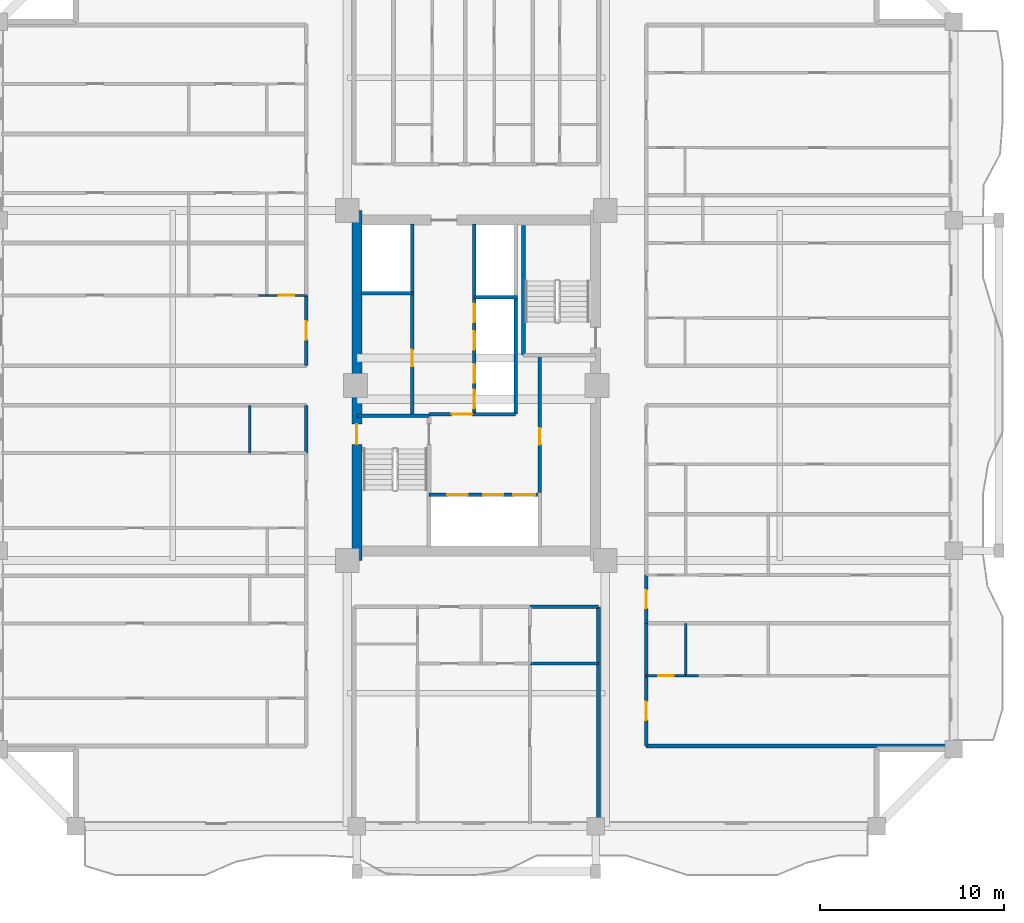
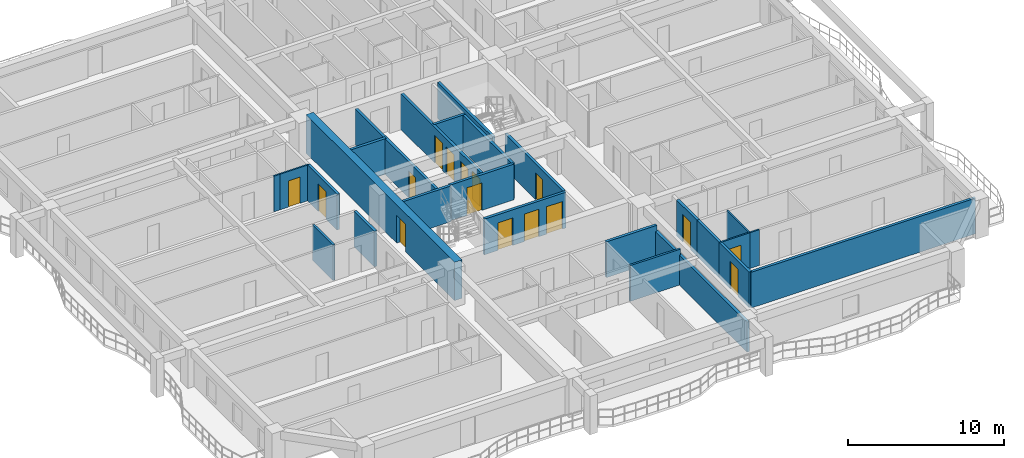
# One storey, part 4 of 14: 26 walls, 16 doors, 16 openings.
"""IFC4 building model written with IfcOpenShell, lengths in metres."""

import ifcopenshell
import ifcopenshell.guid

model = None  # the IFC model being written
_history = None  # IfcOwnerHistory: only IFC2X3 demands one
_inside = {}  # id of a spatial element -> (the spatial element, [elements in it])
_under = {}  # id of a project, library or spatial element -> (it, [spatial elements below it])
_declared = {}  # id of a project -> (the project, [libraries it declares])
_typed = {}  # id of a type object -> (the type object, [elements of that type])
_made_of = {}  # id of a material, layer set ... -> (it, [elements and type objects made of it])


def new_model(schema):
    """Start an empty IFC model of exactly this schema.

    Asked for "IFC4X3", IfcOpenShell would pick the latest addendum, in which some entities
    have other attributes; the version numbers below select the first issue.
    IFC2X3 requires an IfcOwnerHistory on every rooted entity: one is made here for all.
    """
    global model, _history
    if schema == "IFC4X3":
        model = ifcopenshell.file(schema_version=(4, 3, 0, 0))
    else:
        model = ifcopenshell.file(schema=schema)
    _inside.clear()
    _under.clear()
    _declared.clear()
    _typed.clear()
    _made_of.clear()
    _history = None
    if model.schema == "IFC2X3":
        org = make("IfcOrganization", Name="unknown")
        user = make(
            "IfcPersonAndOrganization",
            ThePerson=make("IfcPerson", FamilyName="unknown"),
            TheOrganization=org,
        )
        app = make(
            "IfcApplication",
            ApplicationDeveloper=org,
            Version="unknown",
            ApplicationFullName="unknown",
            ApplicationIdentifier="unknown",
        )
        _history = make(
            "IfcOwnerHistory",
            OwningUser=user,
            OwningApplication=app,
            ChangeAction="ADDED",
            CreationDate=0,
        )
    return model


def make(cls, **values):
    """One entity of the class cls with the attributes given. An attribute that is None is left unset."""
    return model.create_entity(
        cls, **{name: value for name, value in values.items() if value is not None}
    )


def rooted(cls, **values):
    """An entity with a GlobalId (a new one), such as an element, a storey or a relation."""
    return make(cls, GlobalId=ifcopenshell.guid.new(), OwnerHistory=_history, **values)


def si_unit(unit_type, name, prefix=None):
    """IfcSIUnit, for example si_unit("LENGTHUNIT", "METRE", prefix="MILLI")."""
    return make("IfcSIUnit", UnitType=unit_type, Prefix=prefix, Name=name)


def assignment(units):
    """IfcUnitAssignment: the units of a project."""
    return None if units is None else make("IfcUnitAssignment", Units=units)


def point(xyz):
    """IfcCartesianPoint."""
    return None if xyz is None else make("IfcCartesianPoint", Coordinates=xyz)


def direction(xyz):
    """IfcDirection."""
    return None if xyz is None else make("IfcDirection", DirectionRatios=xyz)


def frame(location, z_axis=None, x_axis=None):
    """IfcAxis2Placement3D, a coordinate frame: its origin and axes. An axis left out is left unset."""
    return make(
        "IfcAxis2Placement3D",
        Location=point(location),
        Axis=direction(z_axis),
        RefDirection=direction(x_axis),
    )


def frame_2d(location, x_axis=None):
    """IfcAxis2Placement2D, a coordinate frame in the plane: its origin and x axis."""
    return make(
        "IfcAxis2Placement2D", Location=point(location), RefDirection=direction(x_axis)
    )


def origin():
    """The frame at (0, 0, 0) with its axes left unset."""
    return frame((0.0, 0.0, 0.0))


def place(relative_to, where):
    """IfcLocalPlacement: puts the frame where relative to a parent placement (None: the world)."""
    return make(
        "IfcLocalPlacement", PlacementRelTo=relative_to, RelativePlacement=where
    )


def context(
    kind, dimensions, precision=None, world=None, true_north=None, identifier=None
):
    """IfcGeometricRepresentationContext, for example the 3D "Model" context."""
    return make(
        "IfcGeometricRepresentationContext",
        ContextIdentifier=identifier,
        ContextType=kind,
        CoordinateSpaceDimension=dimensions,
        Precision=precision,
        WorldCoordinateSystem=world,
        TrueNorth=true_north,
    )


def subcontext(parent, identifier, kind, view, scale=None):
    """IfcGeometricRepresentationSubContext, for example "Body" below "Model"."""
    return make(
        "IfcGeometricRepresentationSubContext",
        ContextIdentifier=identifier,
        ContextType=kind,
        ParentContext=parent,
        TargetScale=scale,
        TargetView=view,
    )


def project(units=None, contexts=None):
    """IfcProject with its units and contexts."""
    return rooted(
        "IfcProject",
        Name="project",
        RepresentationContexts=contexts,
        UnitsInContext=assignment(units),
    )


def spatial(cls, under=None, at=None, **own):
    """A site, building, storey or space (cls), placed at a placement, below another one or the project."""
    s = rooted(cls, ObjectPlacement=at, **own)
    if under is not None:
        _under.setdefault(under.id(), (under, []))[1].append(s)
    return s


def profile(cls, at=None, kind="AREA", **sizes):
    """A parametric profile (cls). Its sizes go by their IFC names, for example OverallWidth=200.0."""
    return make(cls, ProfileType=kind, Position=at, **sizes)


def rectangle(**sizes):
    """IfcRectangleProfileDef."""
    return profile("IfcRectangleProfileDef", **sizes)


def extrude(swept, where, along, depth):
    """IfcExtrudedAreaSolid: the profile swept, set in the frame where, extruded along a direction by depth."""
    return make(
        "IfcExtrudedAreaSolid",
        SweptArea=swept,
        Position=where,
        ExtrudedDirection=direction(along),
        Depth=depth,
    )


def shape(context_of_items, identifier, shape_type, items):
    """IfcShapeRepresentation: the items that make up one representation, for example the "Body"."""
    return make(
        "IfcShapeRepresentation",
        ContextOfItems=context_of_items,
        RepresentationIdentifier=identifier,
        RepresentationType=shape_type,
        Items=items,
    )


def source(mapping_origin, context_of_items, identifier, shape_type, items):
    """IfcRepresentationMap: a shape defined once, which mapped items show again and again."""
    return make(
        "IfcRepresentationMap",
        MappingOrigin=mapping_origin,
        MappedRepresentation=shape(context_of_items, identifier, shape_type, items),
    )


def transform(
    local_origin,
    x_axis=None,
    y_axis=None,
    z_axis=None,
    scale=None,
    scale2=None,
    scale3=None,
    uniform=True,
):
    """IfcCartesianTransformationOperator3D, or its non-uniform kind. x_axis, y_axis, z_axis: its Axis1, 2, 3."""
    if uniform:
        return make(
            "IfcCartesianTransformationOperator3D",
            Axis1=direction(x_axis),
            Axis2=direction(y_axis),
            LocalOrigin=point(local_origin),
            Scale=scale,
            Axis3=direction(z_axis),
        )
    return make(
        "IfcCartesianTransformationOperator3DnonUniform",
        Axis1=direction(x_axis),
        Axis2=direction(y_axis),
        LocalOrigin=point(local_origin),
        Scale=scale,
        Axis3=direction(z_axis),
        Scale2=scale2,
        Scale3=scale3,
    )


def mapped(mapping_source, mapping_target):
    """IfcMappedItem: shows the shape of a source again, moved by a transform."""
    return make(
        "IfcMappedItem", MappingSource=mapping_source, MappingTarget=mapping_target
    )


def material(Name=None, Category=None):
    """IfcMaterial."""
    return make("IfcMaterial", Name=Name, Category=Category)


def layer(
    of_material, thickness, ventilated=None, Name=None, Category=None, Priority=None
):
    """IfcMaterialLayer: one layer of a wall or slab, of a material (None: an air gap)."""
    return make(
        "IfcMaterialLayer",
        Material=of_material,
        LayerThickness=thickness,
        IsVentilated=ventilated,
        Name=Name,
        Category=Category,
        Priority=Priority,
    )


def layer_set(layers, Name=None):
    """IfcMaterialLayerSet."""
    return make("IfcMaterialLayerSet", MaterialLayers=layers, LayerSetName=Name)


def made_of(thing, what):
    """Note that an element or type object is made of a material, layer set ...; save() writes the relation."""
    if what is not None:
        _made_of.setdefault(what.id(), (what, []))[1].append(thing)
    return thing


def type_object(cls, material=None, **own):
    """A type object (cls), such as IfcWallType, which elements share."""
    return made_of(rooted(cls, **own), material)


def element(
    cls,
    number,
    at=None,
    inside=None,
    cuts=None,
    type_object=None,
    material=None,
    context=None,
    identifier="Body",
    shape_type=None,
    held_by="IfcProductDefinitionShape",
    body=None,
    shapes=None,
    **own,
):
    """One element of the class cls, such as IfcWall. Its Tag is "e" and its number.

    at: its placement. inside: the storey or other place that contains it. cuts: it is an
    opening in that element (IfcRelVoidsElement). A single representation is given by context,
    identifier, shape_type and body (its items); several are given by shapes. held_by: the class
    of the entity that holds the representations. save() writes the other relations.
    """
    e = rooted(cls, Tag="e%d" % number, ObjectPlacement=at, **own)
    if body is not None:
        shapes = [shape(context, identifier, shape_type, body)]
    if shapes is not None:
        e.Representation = make(held_by, Representations=shapes)
    if inside is not None:
        _inside.setdefault(inside.id(), (inside, []))[1].append(e)
    if cuts is not None:
        rooted(
            "IfcRelVoidsElement", RelatingBuildingElement=cuts, RelatedOpeningElement=e
        )
    if type_object is not None:
        _typed.setdefault(type_object.id(), (type_object, []))[1].append(e)
    return made_of(e, material)


def fill(opening, filler):
    """IfcRelFillsElement: the door or window that sits in an opening."""
    return rooted(
        "IfcRelFillsElement",
        RelatingOpeningElement=opening,
        RelatedBuildingElement=filler,
    )


def aggregate(whole, parts):
    """IfcRelAggregates: a whole, such as a stair, and the parts it consists of."""
    return rooted("IfcRelAggregates", RelatingObject=whole, RelatedObjects=parts)


def save(model, path):
    """Write the relations noted so far, then the file.

    IfcRelAggregates (storeys below a building ...), IfcRelContainedInSpatialStructure (elements
    in a storey), IfcRelDefinesByType, IfcRelAssociatesMaterial and IfcRelDeclares: one each for
    every whole, place, type object, material and project.
    """
    for whole, parts in _under.values():
        aggregate(whole, parts)
    for where, things in _inside.values():
        rooted(
            "IfcRelContainedInSpatialStructure",
            RelatedElements=things,
            RelatingStructure=where,
        )
    for kind, things in _typed.values():
        rooted("IfcRelDefinesByType", RelatedObjects=things, RelatingType=kind)
    for what, things in _made_of.values():
        rooted("IfcRelAssociatesMaterial", RelatedObjects=things, RelatingMaterial=what)
    for by, libraries in _declared.values():
        rooted("IfcRelDeclares", RelatingContext=by, RelatedDefinitions=libraries)
    model.write(path)


model = new_model("IFC4")

# Units and contexts
model_context = context("Model", 3, precision=1e-05, world=origin(), true_north=direction((0.0, 1.0)))
body_context = subcontext(model_context, "Body", "Model", "MODEL_VIEW")
ifc_project = project(units=[si_unit("LENGTHUNIT", "METRE"), si_unit("AREAUNIT", "SQUARE_METRE"), si_unit("VOLUMEUNIT", "CUBIC_METRE"), si_unit("PLANEANGLEUNIT", "RADIAN"), si_unit("MASSUNIT", "GRAM", prefix="KILO")], contexts=[model_context])

# Site, building, storey
site_placement = place(None, origin())
site = spatial("IfcSite", under=ifc_project, at=site_placement, CompositionType="ELEMENT")
building_placement = place(site_placement, origin())
building = spatial("IfcBuilding", under=site, at=building_placement, Name="Saelheon Loggia Tower", CompositionType="ELEMENT")
storey_placement = place(building_placement, frame((0.0, 0.0, 113.85009765625)))
storey = spatial("IfcBuildingStorey", under=building, at=storey_placement, Name="L36", CompositionType="ELEMENT", Elevation=113.85009765625)

# Wall, opening, door
ifc_material_1 = material(Name="Concrete C50/60", Category="concrete")
ifc_layer_1 = layer(ifc_material_1, 0.550048828125)
ifc_layer_set_1 = layer_set([ifc_layer_1], Name="Concrete C50/60")
wall_type_1 = type_object("IfcWallType", Name="Wall_CoreShear_550", PredefinedType="SHEAR", material=ifc_layer_set_1)
wall_1_placement = place(storey_placement, frame((31.5, 17.47998046875, 0.0), z_axis=(0.0, 0.0, 1.0), x_axis=(0.0, 1.0, 0.0)))
wall_1 = element("IfcWall", 1, at=wall_1_placement, inside=storey, type_object=wall_type_1, Name="L36 Core Shear Wall West", PredefinedType="SHEAR", context=body_context, shape_type="SweptSolid", body=[
    extrude(rectangle(XDim=19.0400390625, YDim=0.550048828125, at=frame_2d((9.52001953125, 0.0))), origin(), (0.0, 0.0, 1.0), 3.0),
])
opening_1_placement = place(wall_1_placement, frame((6.320068359375, 0.0, 0.0)))
opening_1 = element("IfcOpeningElement", 2, at=opening_1_placement, cuts=wall_1, Name="Opening D-FD2", PredefinedType="OPENING", context=body_context, shape_type="SweptSolid", body=[
    extrude(rectangle(XDim=1.10009765625, YDim=2.14990234375, at=frame_2d((0.550048828125, 1.074951171875))), frame((0.0, 0.287109375, 0.0), z_axis=(0.0, -1.0, 0.0), x_axis=(1.0, 0.0, 0.0)), (0.0, 0.0, 1.0), 0.573974609375),
])
ifc_material_2 = material(Name="Galvanised Steel Fire Door", Category="steel")
door_type_1 = type_object("IfcDoorType", Name="Door_Fire_FD60_1100", OperationType="NOTDEFINED", PredefinedType="DOOR", material=ifc_material_2)
shared_shape_1 = source(origin(), body_context, "Body", "SweptSolid", [
    extrude(rectangle(XDim=1.10009765625, YDim=2.14990234375, at=frame_2d((0.550048828125, 1.074951171875))), frame((0.0, 0.02490234375, 0.0), z_axis=(0.0, -1.0, 0.0), x_axis=(1.0, 0.0, 0.0)), (0.0, 0.0, 1.0), 0.050048828125),
])
door_1_placement = place(opening_1_placement, origin())
door_1 = element("IfcDoor", 3, at=door_1_placement, inside=storey, type_object=door_type_1, Name="L36 Stair ST1 Corridor Door", OperationType="SINGLE_SWING_LEFT", OverallHeight=2.14990234375, OverallWidth=1.10009765625, PredefinedType="DOOR", context=body_context, shape_type="MappedRepresentation", body=[
    mapped(shared_shape_1, transform((0.0, 0.0, 0.0), scale=1.0)),
])
fill(opening_1, door_1)

# Walls
ifc_material_3 = material(Name="Lightweight Autoclaved Aerated Concrete Block and Acoustic Gypsum", Category="concrete")
ifc_layer_2 = layer(ifc_material_3, 0.14990234375)
ifc_layer_set_2 = layer_set([ifc_layer_2], Name="Lightweight Autoclaved Aerated Concrete Block and Acoustic Gypsum")
wall_type_2 = type_object("IfcWallType", Name="Wall_Part_150", PredefinedType="PARTITIONING", material=ifc_layer_set_2)
wall_2_placement = place(storey_placement, frame((40.9228515625, 11.8701171875, 0.0), z_axis=(0.0, 0.0, 1.0), x_axis=(1.0, 0.0, 0.0)))
element("IfcWall", 4, at=wall_2_placement, inside=storey, type_object=wall_type_2, Name="L36 S Partition V11", PredefinedType="PARTITIONING", context=body_context, shape_type="SweptSolid", body=[
    extrude(rectangle(XDim=3.72705078125, YDim=0.14990234375, at=frame_2d((1.863525390625, 0.0))), origin(), (0.0, 0.0, 1.0), 2.789794921875),
])
wall_3_placement = place(storey_placement, frame((25.669921875, 23.320068359375, 0.0), z_axis=(0.0, 0.0, 1.0), x_axis=(0.0, 1.0, 0.0)))
element("IfcWall", 5, at=wall_3_placement, inside=storey, type_object=wall_type_2, Name="L36 WS Partition V18", PredefinedType="PARTITIONING", context=body_context, shape_type="SweptSolid", body=[
    extrude(rectangle(XDim=2.599853515625, YDim=0.14990234375, at=frame_2d((1.2998046875, 0.0))), origin(), (0.0, 0.0, 1.0), 2.789794921875),
])
ifc_material_4 = material(Name="Double Acoustic Stud and Fireboard Partition", Category="gypsum")
ifc_layer_3 = layer(ifc_material_4, 0.199951171875)
ifc_layer_set_3 = layer_set([ifc_layer_3], Name="Double Acoustic Stud and Fireboard Partition")
wall_type_3 = type_object("IfcWallType", Name="Wall_Party_200", PredefinedType="PARTITIONING", material=ifc_layer_set_3)
wall_4_placement = place(storey_placement, frame((44.64990234375, 14.949951171875, 0.0), z_axis=(0.0, 0.0, 1.0), x_axis=(0.0, -1.0, 0.0)))
element("IfcWall", 6, at=wall_4_placement, inside=storey, type_object=wall_type_3, Name="L36 S Partition U02", PredefinedType="PARTITIONING", context=body_context, shape_type="SweptSolid", body=[
    extrude(rectangle(XDim=11.800048828125, YDim=0.199951171875, at=frame_2d((5.89990234375, 0.0))), origin(), (0.0, 0.0, 1.0), 2.33984375),
])
wall_5_placement = place(storey_placement, frame((40.9228515625, 14.949951171875, 0.0), z_axis=(0.0, 0.0, 1.0), x_axis=(1.0, 0.0, 0.0)))
element("IfcWall", 7, at=wall_5_placement, inside=storey, type_object=wall_type_3, Name="L36 S Partition V09", PredefinedType="PARTITIONING", context=body_context, shape_type="SweptSolid", body=[
    extrude(rectangle(XDim=3.72705078125, YDim=0.199951171875, at=frame_2d((1.863525390625, 0.0))), origin(), (0.0, 0.0, 1.0), 2.789794921875),
])
wall_6_placement = place(storey_placement, frame((28.75, 23.320068359375, 0.0), z_axis=(0.0, 0.0, 1.0), x_axis=(0.0, 1.0, 0.0)))
element("IfcWall", 8, at=wall_6_placement, inside=storey, type_object=wall_type_3, Name="L36 WS Partition V16", PredefinedType="PARTITIONING", context=body_context, shape_type="SweptSolid", body=[
    extrude(rectangle(XDim=2.599853515625, YDim=0.199951171875, at=frame_2d((1.2998046875, 0.0))), origin(), (0.0, 0.0, 1.0), 2.789794921875),
])

# Wall, opening, door
wall_7_placement = place(storey_placement, frame((28.75, 28.080078125, 0.0), z_axis=(0.0, 0.0, 1.0), x_axis=(0.0, 1.0, 0.0)))
wall_7 = element("IfcWall", 9, at=wall_7_placement, inside=storey, type_object=wall_type_3, Name="L36 WN Partition V03", PredefinedType="PARTITIONING", context=body_context, shape_type="SweptSolid", body=[
    extrude(rectangle(XDim=3.82421875, YDim=0.199951171875, at=frame_2d((1.912109375, 0.0))), origin(), (0.0, 0.0, 1.0), 2.789794921875),
])
opening_2_placement = place(wall_7_placement, frame((1.412109375, 0.0, 0.0)))
opening_2 = element("IfcOpeningElement", 10, at=opening_2_placement, cuts=wall_7, Name="Opening D-FD1", PredefinedType="OPENING", context=body_context, shape_type="SweptSolid", body=[
    extrude(rectangle(XDim=1.0, YDim=2.14990234375, at=frame_2d((0.5, 1.074951171875))), frame((0.0, 0.112060546875, 0.0), z_axis=(0.0, -1.0, 0.0), x_axis=(1.0, 0.0, 0.0)), (0.0, 0.0, 1.0), 0.223876953125),
])
ifc_material_5 = material(Name="Fire-Rated Engineered Timber Entrance Door", Category="wood")
door_type_2 = type_object("IfcDoorType", Name="Door_Flat_FD30S", OperationType="NOTDEFINED", PredefinedType="DOOR", material=ifc_material_5)
shared_shape_2 = source(origin(), body_context, "Body", "SweptSolid", [
    extrude(rectangle(XDim=1.0, YDim=2.14990234375, at=frame_2d((0.5, 1.074951171875))), frame((0.0, 0.02490234375, 0.0), z_axis=(0.0, -1.0, 0.0), x_axis=(1.0, 0.0, 0.0)), (0.0, 0.0, 1.0), 0.050048828125),
])
door_2_placement = place(opening_2_placement, origin())
door_2 = element("IfcDoor", 11, at=door_2_placement, inside=storey, type_object=door_type_2, Name="Unit U07 Entrance Door", OperationType="SINGLE_SWING_LEFT", OverallHeight=2.14990234375, OverallWidth=1.0, PredefinedType="DOOR", context=body_context, shape_type="MappedRepresentation", body=[
    mapped(shared_shape_2, transform((0.0, 0.0, 0.0), scale=1.0)),
])
fill(opening_2, door_2)

# Wall
wall_8_placement = place(storey_placement, frame((47.25, 7.3798828125, 0.0), z_axis=(0.0, 0.0, 1.0), x_axis=(1.0, 0.0, 0.0)))
element("IfcWall", 12, at=wall_8_placement, inside=storey, type_object=wall_type_3, Name="L36 ES Partition U01", PredefinedType="PARTITIONING", context=body_context, shape_type="SweptSolid", body=[
    extrude(rectangle(XDim=16.60009765625, YDim=0.199951171875, at=frame_2d((8.300048828125, 0.0))), origin(), (0.0, 0.0, 1.0), 2.789794921875),
])

# Wall, opening, door
wall_9_placement = place(storey_placement, frame((47.25, 7.3798828125, 0.0), z_axis=(0.0, 0.0, 1.0), x_axis=(0.0, 1.0, 0.0)))
wall_9 = element("IfcWall", 13, at=wall_9_placement, inside=storey, type_object=wall_type_3, Name="L36 ES Partition V03", PredefinedType="PARTITIONING", context=body_context, shape_type="SweptSolid", body=[
    extrude(rectangle(XDim=3.824462890625, YDim=0.199951171875, at=frame_2d((1.912109375, 0.0))), origin(), (0.0, 0.0, 1.0), 2.789794921875),
])
opening_3_placement = place(wall_9_placement, frame((1.412109375, 0.0, 0.0)))
opening_3 = element("IfcOpeningElement", 14, at=opening_3_placement, cuts=wall_9, Name="Opening D-FD1", PredefinedType="OPENING", context=body_context, shape_type="SweptSolid", body=[
    extrude(rectangle(XDim=1.0, YDim=2.14990234375, at=frame_2d((0.5, 1.074951171875))), frame((0.0, 0.112060546875, 0.0), z_axis=(0.0, -1.0, 0.0), x_axis=(1.0, 0.0, 0.0)), (0.0, 0.0, 1.0), 0.223876953125),
])
door_3_placement = place(opening_3_placement, origin())
door_3 = element("IfcDoor", 15, at=door_3_placement, inside=storey, type_object=door_type_2, Name="Unit U10 Entrance Door", OperationType="SINGLE_SWING_LEFT", OverallHeight=2.14990234375, OverallWidth=1.0, PredefinedType="DOOR", context=body_context, shape_type="MappedRepresentation", body=[
    mapped(shared_shape_2, transform((0.0, 0.0, 0.0), scale=1.0)),
])
fill(opening_3, door_3)

# Wall
wall_10_placement = place(storey_placement, frame((47.25, 11.204345703125, 0.0), z_axis=(0.0, 0.0, 1.0), x_axis=(0.0, 1.0, 0.0)))
element("IfcWall", 16, at=wall_10_placement, inside=storey, type_object=wall_type_3, Name="L36 ES Partition V04", PredefinedType="PARTITIONING", context=body_context, shape_type="SweptSolid", body=[
    extrude(rectangle(XDim=2.85009765625, YDim=0.199951171875, at=frame_2d((1.425048828125, 0.0))), origin(), (0.0, 0.0, 1.0), 2.789794921875),
])

# Wall, opening, door
wall_11_placement = place(storey_placement, frame((47.25, 14.054443359375, 0.0), z_axis=(0.0, 0.0, 1.0), x_axis=(0.0, 1.0, 0.0)))
wall_11 = element("IfcWall", 17, at=wall_11_placement, inside=storey, type_object=wall_type_3, Name="L36 ES Partition V12", PredefinedType="PARTITIONING", context=body_context, shape_type="SweptSolid", body=[
    extrude(rectangle(XDim=2.62548828125, YDim=0.199951171875, at=frame_2d((1.312744140625, 0.0))), origin(), (0.0, 0.0, 1.0), 2.789794921875),
])
opening_4_placement = place(wall_11_placement, frame((0.812744140625, 0.0, 0.0)))
opening_4 = element("IfcOpeningElement", 18, at=opening_4_placement, cuts=wall_11, Name="Opening D-FD1", PredefinedType="OPENING", context=body_context, shape_type="SweptSolid", body=[
    extrude(rectangle(XDim=1.0, YDim=2.14990234375, at=frame_2d((0.5, 1.074951171875))), frame((0.0, 0.112060546875, 0.0), z_axis=(0.0, -1.0, 0.0), x_axis=(1.0, 0.0, 0.0)), (0.0, 0.0, 1.0), 0.223876953125),
])
door_4_placement = place(opening_4_placement, origin())
door_4 = element("IfcDoor", 19, at=door_4_placement, inside=storey, type_object=door_type_2, Name="Unit U11 Entrance Door", OperationType="SINGLE_SWING_LEFT", OverallHeight=2.14990234375, OverallWidth=1.0, PredefinedType="DOOR", context=body_context, shape_type="MappedRepresentation", body=[
    mapped(shared_shape_2, transform((0.0, 0.0, 0.0), scale=1.0)),
])
fill(opening_4, door_4)

ifc_material_6 = material(Name="Concrete C40/50", Category="concrete")
ifc_layer_4 = layer(ifc_material_6, 0.199951171875)
ifc_layer_set_4 = layer_set([ifc_layer_4], Name="Concrete C40/50")
wall_type_4 = type_object("IfcWallType", Name="Wall_Shaft_200", PredefinedType="PARTITIONING", material=ifc_layer_set_4)
wall_12_placement = place(storey_placement, frame((41.449951171875, 21.179931640625, 0.0), z_axis=(0.0, 0.0, 1.0), x_axis=(0.0, 1.0, 0.0)))
wall_12 = element("IfcWall", 20, at=wall_12_placement, inside=storey, type_object=wall_type_4, Name="CW-INT-L36-BOH-W1", PredefinedType="PARTITIONING", context=body_context, shape_type="SweptSolid", body=[
    extrude(rectangle(XDim=7.420166015625, YDim=0.199951171875, at=frame_2d((3.7099609375, 0.0))), origin(), (0.0, 0.0, 1.0), 2.789794921875),
])
opening_5_placement = place(wall_12_placement, frame((2.60009765625, 0.0, 0.0)))
opening_5 = element("IfcOpeningElement", 21, at=opening_5_placement, cuts=wall_12, Name="Opening D-RS1", PredefinedType="OPENING", context=body_context, shape_type="SweptSolid", body=[
    extrude(rectangle(XDim=0.89990234375, YDim=2.10009765625, at=frame_2d((0.449951171875, 1.050048828125))), frame((0.0, 0.112060546875, 0.0), z_axis=(0.0, -1.0, 0.0), x_axis=(1.0, 0.0, 0.0)), (0.0, 0.0, 1.0), 0.223876953125),
])
ifc_material_7 = material(Name="Galvanised Steel Riser Access Door", Category="steel")
door_type_3 = type_object("IfcDoorType", Name="Door_Riser_FD60", OperationType="NOTDEFINED", PredefinedType="DOOR", material=ifc_material_7)
shared_shape_3 = source(origin(), body_context, "Body", "SweptSolid", [
    extrude(rectangle(XDim=0.89990234375, YDim=2.10009765625, at=frame_2d((0.449951171875, 1.050048828125))), frame((0.0, 0.02490234375, 0.0), z_axis=(0.0, -1.0, 0.0), x_axis=(1.0, 0.0, 0.0)), (0.0, 0.0, 1.0), 0.050048828125),
])
door_5_placement = place(opening_5_placement, origin())
door_5 = element("IfcDoor", 22, at=door_5_placement, inside=storey, type_object=door_type_3, Name="L36 Core Service Store Door", OperationType="SINGLE_SWING_RIGHT", OverallHeight=2.10009765625, OverallWidth=0.89990234375, PredefinedType="DOOR", context=body_context, shape_type="MappedRepresentation", body=[
    mapped(shared_shape_3, transform((0.0, 0.0, 0.0), scale=1.0)),
])
fill(opening_5, door_5)

# Wall
wall_13_placement = place(storey_placement, frame((40.14990234375, 25.43994140625, 0.0), z_axis=(0.0, 0.0, 1.0), x_axis=(0.0, 1.0, 0.0)))
element("IfcWall", 23, at=wall_13_placement, inside=storey, type_object=wall_type_4, Name="L36 Core Service Passage West Wall", PredefinedType="PARTITIONING", context=body_context, shape_type="SweptSolid", body=[
    extrude(rectangle(XDim=6.360107421875, YDim=0.199951171875, at=frame_2d((3.18017578125, 0.0))), origin(), (0.0, 0.0, 1.0), 2.789794921875),
])

# Wall, openings, doors
wall_14_placement = place(storey_placement, frame((35.429931640625, 21.06005859375, 0.0), z_axis=(0.0, 0.0, 1.0), x_axis=(1.0, 0.0, 0.0)))
wall_14 = element("IfcWall", 24, at=wall_14_placement, inside=storey, type_object=wall_type_4, Name="L36 Firefighting Lift Shaft Front Wall", PredefinedType="PARTITIONING", context=body_context, shape_type="SweptSolid", body=[
    extrude(rectangle(XDim=6.02001953125, YDim=0.199951171875, at=frame_2d((3.010009765625, 0.0))), origin(), (0.0, 0.0, 1.0), 2.789794921875),
])
opening_6_placement = place(wall_14_placement, frame((1.0, 0.0, 0.0)))
opening_6 = element("IfcOpeningElement", 25, at=opening_6_placement, cuts=wall_14, Name="Opening LD2", PredefinedType="OPENING", context=body_context, shape_type="SweptSolid", body=[
    extrude(rectangle(XDim=1.10009765625, YDim=2.14990234375, at=frame_2d((0.550048828125, 1.074951171875))), frame((0.0, 0.112060546875, 0.0), z_axis=(0.0, -1.0, 0.0), x_axis=(1.0, 0.0, 0.0)), (0.0, 0.0, 1.0), 0.223876953125),
])
opening_7_placement = place(wall_14_placement, frame((2.949951171875, 0.0, 0.0)))
opening_7 = element("IfcOpeningElement", 26, at=opening_7_placement, cuts=wall_14, Name="Opening LD2", PredefinedType="OPENING", context=body_context, shape_type="SweptSolid", body=[
    extrude(rectangle(XDim=1.10009765625, YDim=2.14990234375, at=frame_2d((0.550048828125, 1.074951171875))), frame((0.0, 0.112060546875, 0.0), z_axis=(0.0, -1.0, 0.0), x_axis=(1.0, 0.0, 0.0)), (0.0, 0.0, 1.0), 0.223876953125),
])
opening_8_placement = place(wall_14_placement, frame((4.580078125, 0.0, 0.0)))
opening_8 = element("IfcOpeningElement", 27, at=opening_8_placement, cuts=wall_14, Name="Opening LD3", PredefinedType="OPENING", context=body_context, shape_type="SweptSolid", body=[
    extrude(rectangle(XDim=1.199951171875, YDim=2.14990234375, at=frame_2d((0.60009765625, 1.074951171875))), frame((0.0, 0.112060546875, 0.0), z_axis=(0.0, -1.0, 0.0), x_axis=(1.0, 0.0, 0.0)), (0.0, 0.0, 1.0), 0.223876953125),
])
ifc_material_8 = material(Name="Firefighting Stainless Steel 316 Landing Door", Category="steel")
door_type_4 = type_object("IfcDoorType", Name="Door_Lift_LD2", OperationType="DOUBLE_DOOR_SLIDING", PredefinedType="DOOR", material=ifc_material_8)
door_6_placement = place(opening_6_placement, origin())
door_6 = element("IfcDoor", 28, at=door_6_placement, inside=storey, type_object=door_type_4, Name="L36 FF1 Landing Door", OperationType="DOUBLE_DOOR_SLIDING", OverallHeight=2.14990234375, OverallWidth=1.10009765625, PredefinedType="DOOR", context=body_context, shape_type="MappedRepresentation", body=[
    mapped(shared_shape_1, transform((0.0, 0.0, 0.0), scale=1.0)),
])
fill(opening_6, door_6)
door_7_placement = place(opening_7_placement, origin())
door_7 = element("IfcDoor", 29, at=door_7_placement, inside=storey, type_object=door_type_4, Name="L36 FF2 Landing Door", OperationType="DOUBLE_DOOR_SLIDING", OverallHeight=2.14990234375, OverallWidth=1.10009765625, PredefinedType="DOOR", context=body_context, shape_type="MappedRepresentation", body=[
    mapped(shared_shape_1, transform((0.0, 0.0, 0.0), scale=1.0)),
])
fill(opening_7, door_7)
ifc_material_9 = material(Name="Stretcher Lift Stainless Steel 304 Landing Door", Category="steel")
door_type_5 = type_object("IfcDoorType", Name="Door_Lift_LD3", OperationType="DOUBLE_DOOR_SLIDING", PredefinedType="DOOR", material=ifc_material_9)
shared_shape_4 = source(origin(), body_context, "Body", "SweptSolid", [
    extrude(rectangle(XDim=1.199951171875, YDim=2.14990234375, at=frame_2d((0.60009765625, 1.074951171875))), frame((0.0, 0.02490234375, 0.0), z_axis=(0.0, -1.0, 0.0), x_axis=(1.0, 0.0, 0.0)), (0.0, 0.0, 1.0), 0.050048828125),
])
door_8_placement = place(opening_8_placement, origin())
door_8 = element("IfcDoor", 30, at=door_8_placement, inside=storey, type_object=door_type_5, Name="L36 SV1 Landing Door", OperationType="DOUBLE_DOOR_SLIDING", OverallHeight=2.14990234375, OverallWidth=1.199951171875, PredefinedType="DOOR", context=body_context, shape_type="MappedRepresentation", body=[
    mapped(shared_shape_4, transform((0.0, 0.0, 0.0), scale=1.0)),
])
fill(opening_8, door_8)

# Wall, opening, door
wall_15_placement = place(storey_placement, frame((35.429931640625, 25.43994140625, 0.0), z_axis=(0.0, 0.0, 1.0), x_axis=(1.0, 0.0, 0.0)))
wall_15 = element("IfcWall", 31, at=wall_15_placement, inside=storey, type_object=wall_type_4, Name="L36 Firefighting Lobby Compartment Wall", PredefinedType="PARTITIONING", context=body_context, shape_type="SweptSolid", body=[
    extrude(rectangle(XDim=4.719970703125, YDim=0.199951171875, at=frame_2d((2.35986328125, 0.0))), origin(), (0.0, 0.0, 1.0), 2.789794921875),
])
opening_9_placement = place(wall_15_placement, frame((1.25, 0.0, 0.0)))
opening_9 = element("IfcOpeningElement", 32, at=opening_9_placement, cuts=wall_15, Name="Opening D-FD2", PredefinedType="OPENING", context=body_context, shape_type="SweptSolid", body=[
    extrude(rectangle(XDim=1.10009765625, YDim=2.14990234375, at=frame_2d((0.550048828125, 1.074951171875))), frame((0.0, 0.112060546875, 0.0), z_axis=(0.0, -1.0, 0.0), x_axis=(1.0, 0.0, 0.0)), (0.0, 0.0, 1.0), 0.223876953125),
])
door_9_placement = place(opening_9_placement, origin())
door_9 = element("IfcDoor", 33, at=door_9_placement, inside=storey, type_object=door_type_1, Name="L36 Firefighting Lobby Door", OperationType="SINGLE_SWING_LEFT", OverallHeight=2.14990234375, OverallWidth=1.10009765625, PredefinedType="DOOR", context=body_context, shape_type="MappedRepresentation", body=[
    mapped(shared_shape_1, transform((0.0, 0.0, 0.0), scale=1.0)),
])
fill(opening_9, door_9)

wall_16_placement = place(storey_placement, frame((34.52001953125, 25.43994140625, 0.0), z_axis=(0.0, 0.0, 1.0), x_axis=(0.0, 1.0, 0.0)))
wall_16 = element("IfcWall", 34, at=wall_16_placement, inside=storey, type_object=wall_type_4, Name="L36 West Passenger Lift Bank Wall", PredefinedType="PARTITIONING", context=body_context, shape_type="SweptSolid", body=[
    extrude(rectangle(XDim=10.340087890625, YDim=0.199951171875, at=frame_2d((5.169921875, 0.0))), origin(), (0.0, 0.0, 1.0), 2.789794921875),
])
opening_10_placement = place(wall_16_placement, frame((2.60009765625, 0.0, 0.0)))
opening_10 = element("IfcOpeningElement", 35, at=opening_10_placement, cuts=wall_16, Name="Opening D-RS1", PredefinedType="OPENING", context=body_context, shape_type="SweptSolid", body=[
    extrude(rectangle(XDim=0.89990234375, YDim=2.10009765625, at=frame_2d((0.449951171875, 1.050048828125))), frame((0.0, 0.112060546875, 0.0), z_axis=(0.0, -1.0, 0.0), x_axis=(1.0, 0.0, 0.0)), (0.0, 0.0, 1.0), 0.223876953125),
])
door_10_placement = place(opening_10_placement, origin())
door_10 = element("IfcDoor", 36, at=door_10_placement, inside=storey, type_object=door_type_3, Name="L36 Core Parcel Room Door", OperationType="SINGLE_SWING_LEFT", OverallHeight=2.10009765625, OverallWidth=0.89990234375, PredefinedType="DOOR", context=body_context, shape_type="MappedRepresentation", body=[
    mapped(shared_shape_3, transform((0.0, 0.0, 0.0), scale=1.0)),
])
fill(opening_10, door_10)

# Wall
wall_17_placement = place(storey_placement, frame((31.719970703125, 32.02001953125, 0.0), z_axis=(0.0, 0.0, 1.0), x_axis=(1.0, 0.0, 0.0)))
element("IfcWall", 37, at=wall_17_placement, inside=storey, type_object=wall_type_4, Name="L36 West High-Rise Shaft Divider", PredefinedType="PARTITIONING", context=body_context, shape_type="SweptSolid", body=[
    extrude(rectangle(XDim=2.800048828125, YDim=0.199951171875, at=frame_2d((1.39990234375, 0.0))), origin(), (0.0, 0.0, 1.0), 2.789794921875),
])

# Wall, openings, doors
wall_18_placement = place(storey_placement, frame((37.89990234375, 25.43994140625, 0.0), z_axis=(0.0, 0.0, 1.0), x_axis=(0.0, 1.0, 0.0)))
wall_18 = element("IfcWall", 38, at=wall_18_placement, inside=storey, type_object=wall_type_4, Name="L36 East Passenger Lift Bank Wall", PredefinedType="PARTITIONING", context=body_context, shape_type="SweptSolid", body=[
    extrude(rectangle(XDim=10.340087890625, YDim=0.199951171875, at=frame_2d((5.169921875, 0.0))), origin(), (0.0, 0.0, 1.0), 2.789794921875),
])
opening_11_placement = place(wall_18_placement, frame((0.320068359375, 0.0, 0.0)))
opening_11 = element("IfcOpeningElement", 39, at=opening_11_placement, cuts=wall_18, Name="Opening LD1", PredefinedType="OPENING", context=body_context, shape_type="SweptSolid", body=[
    extrude(rectangle(XDim=1.0, YDim=2.14990234375, at=frame_2d((0.5, 1.074951171875))), frame((0.0, 0.112060546875, 0.0), z_axis=(0.0, -1.0, 0.0), x_axis=(1.0, 0.0, 0.0)), (0.0, 0.0, 1.0), 0.223876953125),
])
opening_12_placement = place(wall_18_placement, frame((1.7099609375, 0.0, 0.0)))
opening_12 = element("IfcOpeningElement", 40, at=opening_12_placement, cuts=wall_18, Name="Opening LD1", PredefinedType="OPENING", context=body_context, shape_type="SweptSolid", body=[
    extrude(rectangle(XDim=1.0, YDim=2.14990234375, at=frame_2d((0.5, 1.074951171875))), frame((0.0, 0.112060546875, 0.0), z_axis=(0.0, -1.0, 0.0), x_axis=(1.0, 0.0, 0.0)), (0.0, 0.0, 1.0), 0.223876953125),
])
opening_13_placement = place(wall_18_placement, frame((3.510009765625, 0.0, 0.0)))
opening_13 = element("IfcOpeningElement", 41, at=opening_13_placement, cuts=wall_18, Name="Opening LD1", PredefinedType="OPENING", context=body_context, shape_type="SweptSolid", body=[
    extrude(rectangle(XDim=1.0, YDim=2.14990234375, at=frame_2d((0.5, 1.074951171875))), frame((0.0, 0.112060546875, 0.0), z_axis=(0.0, -1.0, 0.0), x_axis=(1.0, 0.0, 0.0)), (0.0, 0.0, 1.0), 0.223876953125),
])
opening_14_placement = place(wall_18_placement, frame((5.010009765625, 0.0, 0.0)))
opening_14 = element("IfcOpeningElement", 42, at=opening_14_placement, cuts=wall_18, Name="Opening LD1", PredefinedType="OPENING", context=body_context, shape_type="SweptSolid", body=[
    extrude(rectangle(XDim=1.0, YDim=2.14990234375, at=frame_2d((0.5, 1.074951171875))), frame((0.0, 0.112060546875, 0.0), z_axis=(0.0, -1.0, 0.0), x_axis=(1.0, 0.0, 0.0)), (0.0, 0.0, 1.0), 0.223876953125),
])
ifc_material_10 = material(Name="Brushed Stainless Steel 304 Landing Door", Category="steel")
door_type_6 = type_object("IfcDoorType", Name="Door_Lift_LD1", OperationType="DOUBLE_DOOR_SLIDING", PredefinedType="DOOR", material=ifc_material_10)
door_11_placement = place(opening_11_placement, origin())
door_11 = element("IfcDoor", 43, at=door_11_placement, inside=storey, type_object=door_type_6, Name="L36 PM1 Landing Door", OperationType="DOUBLE_DOOR_SLIDING", OverallHeight=2.14990234375, OverallWidth=1.0, PredefinedType="DOOR", context=body_context, shape_type="MappedRepresentation", body=[
    mapped(shared_shape_2, transform((0.0, 0.0, 0.0), scale=1.0)),
])
fill(opening_11, door_11)
door_12_placement = place(opening_12_placement, origin())
door_12 = element("IfcDoor", 44, at=door_12_placement, inside=storey, type_object=door_type_6, Name="L36 PM2 Landing Door", OperationType="DOUBLE_DOOR_SLIDING", OverallHeight=2.14990234375, OverallWidth=1.0, PredefinedType="DOOR", context=body_context, shape_type="MappedRepresentation", body=[
    mapped(shared_shape_2, transform((0.0, 0.0, 0.0), scale=1.0)),
])
fill(opening_12, door_12)
door_13_placement = place(opening_13_placement, origin())
door_13 = element("IfcDoor", 45, at=door_13_placement, inside=storey, type_object=door_type_6, Name="L36 PM3 Landing Door", OperationType="DOUBLE_DOOR_SLIDING", OverallHeight=2.14990234375, OverallWidth=1.0, PredefinedType="DOOR", context=body_context, shape_type="MappedRepresentation", body=[
    mapped(shared_shape_2, transform((0.0, 0.0, 0.0), scale=1.0)),
])
fill(opening_13, door_13)
door_14_placement = place(opening_14_placement, origin())
door_14 = element("IfcDoor", 46, at=door_14_placement, inside=storey, type_object=door_type_6, Name="L36 PM4 Landing Door", OperationType="DOUBLE_DOOR_SLIDING", OverallHeight=2.14990234375, OverallWidth=1.0, PredefinedType="DOOR", context=body_context, shape_type="MappedRepresentation", body=[
    mapped(shared_shape_2, transform((0.0, 0.0, 0.0), scale=1.0)),
])
fill(opening_14, door_14)

# Walls
wall_19_placement = place(storey_placement, frame((37.89990234375, 31.800048828125, 0.0), z_axis=(0.0, 0.0, 1.0), x_axis=(1.0, 0.0, 0.0)))
element("IfcWall", 47, at=wall_19_placement, inside=storey, type_object=wall_type_4, Name="L36 East High-Rise Shaft Divider", PredefinedType="PARTITIONING", context=body_context, shape_type="SweptSolid", body=[
    extrude(rectangle(XDim=2.35009765625, YDim=0.199951171875, at=frame_2d((1.175048828125, 0.0))), origin(), (0.0, 0.0, 1.0), 2.789794921875),
])
ifc_material_11 = material(Name="Concrete C45/55", Category="concrete")
ifc_layer_5 = layer(ifc_material_11, 0.199951171875)
ifc_layer_set_5 = layer_set([ifc_layer_5], Name="Concrete C45/55")
wall_type_5 = type_object("IfcWallType", Name="Wall_StairShaft_RC200", PredefinedType="SOLIDWALL", material=ifc_layer_set_5)
wall_20_placement = place(storey_placement, frame((31.5, 25.35009765625, 0.0), z_axis=(0.0, 0.0, 1.0), x_axis=(1.0, 0.0, 0.0)))
element("IfcWall", 48, at=wall_20_placement, inside=storey, type_object=wall_type_5, Name="L36 Stair ST1 North Wall", PredefinedType="SOLIDWALL", context=body_context, shape_type="SweptSolid", body=[
    extrude(rectangle(XDim=3.929931640625, YDim=0.199951171875, at=frame_2d((1.96484375, 0.0))), origin(), (0.0, 0.0, 1.0), 2.789794921875),
])
wall_21_placement = place(storey_placement, frame((40.570068359375, 28.64990234375, 0.0), z_axis=(0.0, 0.0, 1.0), x_axis=(0.0, 1.0, 0.0)))
element("IfcWall", 49, at=wall_21_placement, inside=storey, type_object=wall_type_5, Name="L36 Stair ST2 Shaft Wall", PredefinedType="SOLIDWALL", context=body_context, shape_type="SweptSolid", body=[
    extrude(rectangle(XDim=7.050048828125, YDim=0.199951171875, at=frame_2d((3.52490234375, 0.0))), origin(), (0.0, 0.0, 1.0), 2.789794921875),
])

# Wall, opening, door
ifc_material_12 = material(Name="Moisture-Resistant Cement Board Partition", Category="gypsum")
ifc_layer_6 = layer(ifc_material_12, 0.1201171875)
ifc_layer_set_6 = layer_set([ifc_layer_6], Name="Moisture-Resistant Cement Board Partition")
wall_type_6 = type_object("IfcWallType", Name="Wall_WetPart_120", PredefinedType="PARTITIONING", material=ifc_layer_set_6)
wall_22_placement = place(storey_placement, frame((28.75, 31.904296875, 0.0), z_axis=(0.0, 0.0, 1.0), x_axis=(-1.0, 0.0, 0.0)))
wall_22 = element("IfcWall", 50, at=wall_22_placement, inside=storey, type_object=wall_type_6, Name="L36 WN Partition U05", PredefinedType="PARTITIONING", context=body_context, shape_type="SweptSolid", body=[
    extrude(rectangle(XDim=2.14990234375, YDim=0.1201171875, at=frame_2d((1.074951171875, 0.0))), origin(), (0.0, 0.0, 1.0), 2.789794921875),
])
opening_15_placement = place(wall_22_placement, frame((0.64990234375, 0.0, 0.0)))
opening_15 = element("IfcOpeningElement", 51, at=opening_15_placement, cuts=wall_22, Name="Opening D-BT1", PredefinedType="OPENING", context=body_context, shape_type="SweptSolid", body=[
    extrude(rectangle(XDim=0.85009765625, YDim=2.050048828125, at=frame_2d((0.425048828125, 1.02490234375))), frame((0.0, 0.072021484375, 0.0), z_axis=(0.0, -1.0, 0.0), x_axis=(1.0, 0.0, 0.0)), (0.0, 0.0, 1.0), 0.14404296875),
])
ifc_material_13 = material(Name="Moisture-Resistant Laminate Timber Door", Category="wood")
door_type_7 = type_object("IfcDoorType", Name="Door_Bath_850", OperationType="NOTDEFINED", PredefinedType="DOOR", material=ifc_material_13)
shared_shape_5 = source(origin(), body_context, "Body", "SweptSolid", [
    extrude(rectangle(XDim=0.85009765625, YDim=2.050048828125, at=frame_2d((0.425048828125, 1.02490234375))), frame((0.0, 0.02490234375, 0.0), z_axis=(0.0, -1.0, 0.0), x_axis=(1.0, 0.0, 0.0)), (0.0, 0.0, 1.0), 0.050048828125),
])
door_15_placement = place(opening_15_placement, origin())
door_15 = element("IfcDoor", 52, at=door_15_placement, inside=storey, type_object=door_type_7, Name="Unit U07 Bathroom Door", OperationType="SINGLE_SWING_RIGHT", OverallHeight=2.050048828125, OverallWidth=0.85009765625, PredefinedType="DOOR", context=body_context, shape_type="MappedRepresentation", body=[
    mapped(shared_shape_5, transform((0.0, 0.0, 0.0), scale=1.0)),
])
fill(opening_15, door_15)

# Wall
wall_23_placement = place(storey_placement, frame((26.60009765625, 31.904296875, 0.0), z_axis=(0.0, 0.0, 1.0), x_axis=(-1.0, 0.0, 0.0)))
element("IfcWall", 53, at=wall_23_placement, inside=storey, type_object=wall_type_6, Name="L36 WN Partition U06", PredefinedType="PARTITIONING", context=body_context, shape_type="SweptSolid", body=[
    extrude(rectangle(XDim=0.4501953125, YDim=0.1201171875, at=frame_2d((0.22509765625, 0.0))), origin(), (0.0, 0.0, 1.0), 2.789794921875),
])

# Wall, opening, door
wall_24_placement = place(storey_placement, frame((47.25, 11.204345703125, 0.0), z_axis=(0.0, 0.0, 1.0), x_axis=(1.0, 0.0, 0.0)))
wall_24 = element("IfcWall", 54, at=wall_24_placement, inside=storey, type_object=wall_type_6, Name="L36 ES Partition U05", PredefinedType="PARTITIONING", context=body_context, shape_type="SweptSolid", body=[
    extrude(rectangle(XDim=2.14990234375, YDim=0.1201171875, at=frame_2d((1.074951171875, 0.0))), origin(), (0.0, 0.0, 1.0), 2.789794921875),
])
opening_16_placement = place(wall_24_placement, frame((0.64990234375, 0.0, 0.0)))
opening_16 = element("IfcOpeningElement", 55, at=opening_16_placement, cuts=wall_24, Name="Opening D-BT1", PredefinedType="OPENING", context=body_context, shape_type="SweptSolid", body=[
    extrude(rectangle(XDim=0.85009765625, YDim=2.050048828125, at=frame_2d((0.425048828125, 1.02490234375))), frame((0.0, 0.072021484375, 0.0), z_axis=(0.0, -1.0, 0.0), x_axis=(1.0, 0.0, 0.0)), (0.0, 0.0, 1.0), 0.14404296875),
])
door_16_placement = place(opening_16_placement, origin())
door_16 = element("IfcDoor", 56, at=door_16_placement, inside=storey, type_object=door_type_7, Name="Unit U10 Bathroom Door", OperationType="SINGLE_SWING_RIGHT", OverallHeight=2.050048828125, OverallWidth=0.85009765625, PredefinedType="DOOR", context=body_context, shape_type="MappedRepresentation", body=[
    mapped(shared_shape_5, transform((0.0, 0.0, 0.0), scale=1.0)),
])
fill(opening_16, door_16)

# Walls
wall_25_placement = place(storey_placement, frame((49.39990234375, 11.204345703125, 0.0), z_axis=(0.0, 0.0, 1.0), x_axis=(1.0, 0.0, 0.0)))
element("IfcWall", 57, at=wall_25_placement, inside=storey, type_object=wall_type_6, Name="L36 ES Partition U06", PredefinedType="PARTITIONING", context=body_context, shape_type="SweptSolid", body=[
    extrude(rectangle(XDim=0.690185546875, YDim=0.1201171875, at=frame_2d((0.34521484375, 0.0))), origin(), (0.0, 0.0, 1.0), 2.789794921875),
])
wall_26_placement = place(storey_placement, frame((49.39990234375, 11.204345703125, 0.0), z_axis=(0.0, 0.0, 1.0), x_axis=(0.0, 1.0, 0.0)))
element("IfcWall", 58, at=wall_26_placement, inside=storey, type_object=wall_type_6, Name="L36 ES Partition V07", PredefinedType="PARTITIONING", context=body_context, shape_type="SweptSolid", body=[
    extrude(rectangle(XDim=2.85009765625, YDim=0.1201171875, at=frame_2d((1.425048828125, 0.0))), origin(), (0.0, 0.0, 1.0), 2.789794921875),
])

save(model, "model.ifc")
